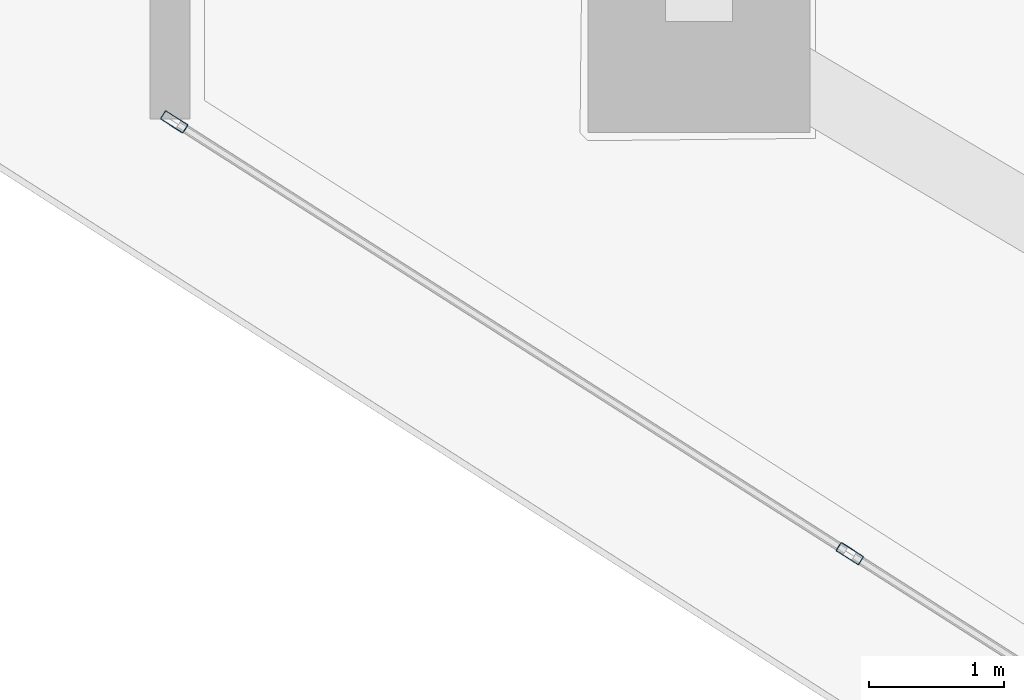
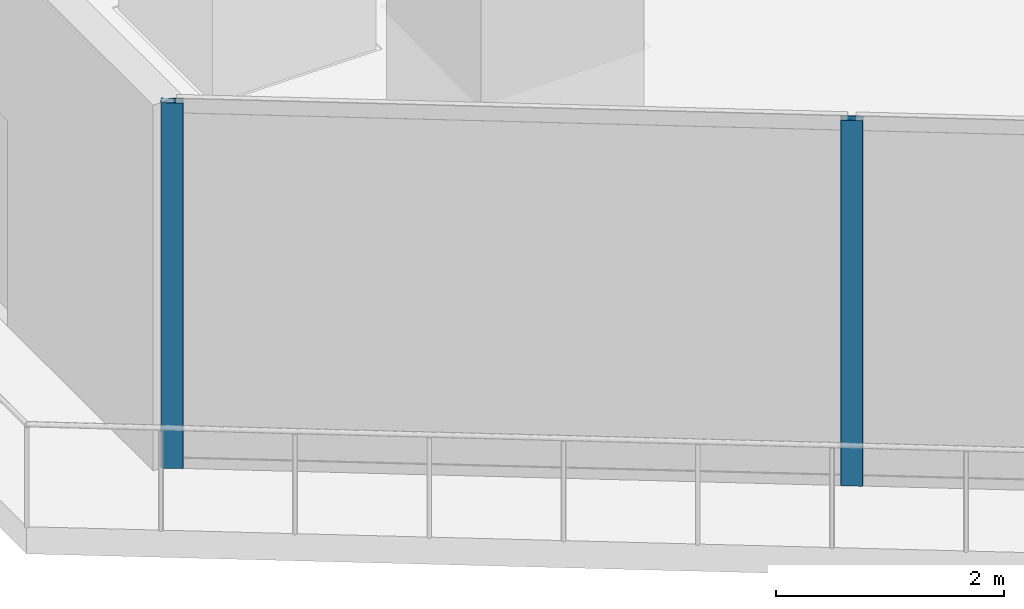
# One storey, part 6 of 31: 2 members, 1 element without a shape of its own.
"""IFC4 building model written with IfcOpenShell, lengths in metres."""

from ifc_helpers import new_model, si_unit, direction, frame, origin, origin_2d, place, context, subcontext, project, spatial, hollow_rectangle, extrude, material, layer, layer_set, material_profile, profile_set, type_object, element, aggregate, save


model = new_model("IFC4")

# Units and contexts
model_context = context("Model", 3, precision=1e-05, world=origin(), true_north=direction((0.0, 1.0)))
body_context = subcontext(model_context, "Body", "Model", "MODEL_VIEW")
ifc_project = project(units=[si_unit("LENGTHUNIT", "METRE"), si_unit("AREAUNIT", "SQUARE_METRE"), si_unit("VOLUMEUNIT", "CUBIC_METRE"), si_unit("PLANEANGLEUNIT", "RADIAN"), si_unit("MASSUNIT", "GRAM", prefix="KILO")], contexts=[model_context])

# Site, building, storey
site_placement = place(None, origin())
site = spatial("IfcSite", under=ifc_project, at=site_placement, CompositionType="ELEMENT")
building_placement = place(site_placement, origin())
building = spatial("IfcBuilding", under=site, at=building_placement, Name="Qorvath Tower", CompositionType="ELEMENT")
storey_placement = place(building_placement, frame((0.0, 0.0, 264.0)))
storey = spatial("IfcBuildingStorey", under=building, at=storey_placement, Name="L61", CompositionType="ELEMENT", Elevation=264.0)

# Curtain wall, members
ifc_material_1 = material(Name="Anodised aluminium and triple low-E glass", Category="aluminium")
ifc_layer = layer(ifc_material_1, 0.179931640625)
ifc_layer_set = layer_set([ifc_layer], Name="CW-SYS-4")
curtain_wall_type = type_object("IfcCurtainWallType", Name="CW-SYS-4", PredefinedType="NOTDEFINED", material=ifc_layer_set)
curtain_wall_placement = place(storey_placement, origin())
curtain_wall = element("IfcCurtainWall", 1, at=curtain_wall_placement, inside=storey, type_object=curtain_wall_type, Name="Curtain Wall CW-4 CW-T-L61-2.1", PredefinedType="NOTDEFINED")
ifc_material_2 = material(Name="Anodised aluminium 6063-T6", Category="aluminium")
ifc_material_profile = material_profile(ifc_material_2, hollow_rectangle(XDim=0.074951171875, YDim=0.199951171875, WallThickness=0.00390625, InnerFilletRadius=0.00390625, OuterFilletRadius=0.008056640625, at=origin_2d()), Name="CWM 200x75")
ifc_profile_set = profile_set([ifc_material_profile], Name="Anodised aluminium 6063-T6")
member_type = type_object("IfcMemberType", Name="CWM-200", PredefinedType="MULLION", material=ifc_profile_set)
member_1_placement = place(storey_placement, frame((-51.439697265625, -3.094482421875, 0.0), z_axis=(0.0, 0.0, 1.0), x_axis=(0.538528809945, 0.84260709756, 0.0)))
member_1 = element("IfcMember", 2, at=member_1_placement, type_object=member_type, Name="CW-4 mullion 1", PredefinedType="MULLION", context=body_context, shape_type="SweptSolid", body=[
    extrude(hollow_rectangle(XDim=0.074951171875, YDim=0.199951171875, WallThickness=0.00390625, InnerFilletRadius=0.00390625, OuterFilletRadius=0.008056640625, at=origin_2d()), origin(), (0.0, 0.0, 1.0), 3.909912109375),
])
member_2_placement = place(storey_placement, frame((-46.416748046875, -6.3046875, 0.0), z_axis=(0.0, 0.0, 1.0), x_axis=(0.538528809945, 0.84260709756, 0.0)))
member_2 = element("IfcMember", 3, at=member_2_placement, type_object=member_type, Name="CW-4 mullion 2", PredefinedType="MULLION", context=body_context, shape_type="SweptSolid", body=[
    extrude(hollow_rectangle(XDim=0.074951171875, YDim=0.199951171875, WallThickness=0.00390625, InnerFilletRadius=0.00390625, OuterFilletRadius=0.008056640625, at=origin_2d()), origin(), (0.0, 0.0, 1.0), 3.909912109375),
])
aggregate(curtain_wall, [member_1, member_2])

save(model, "model.ifc")
